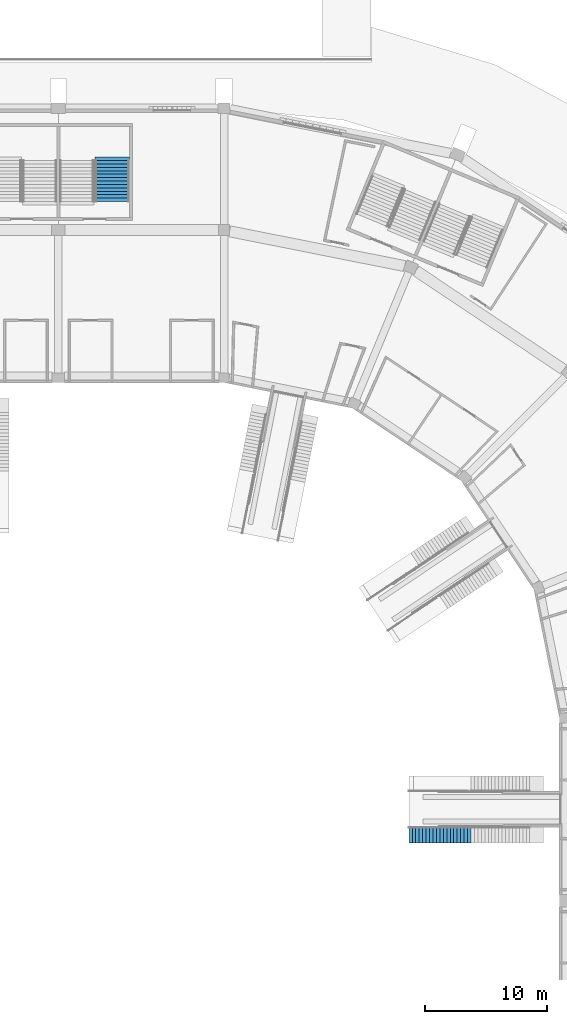
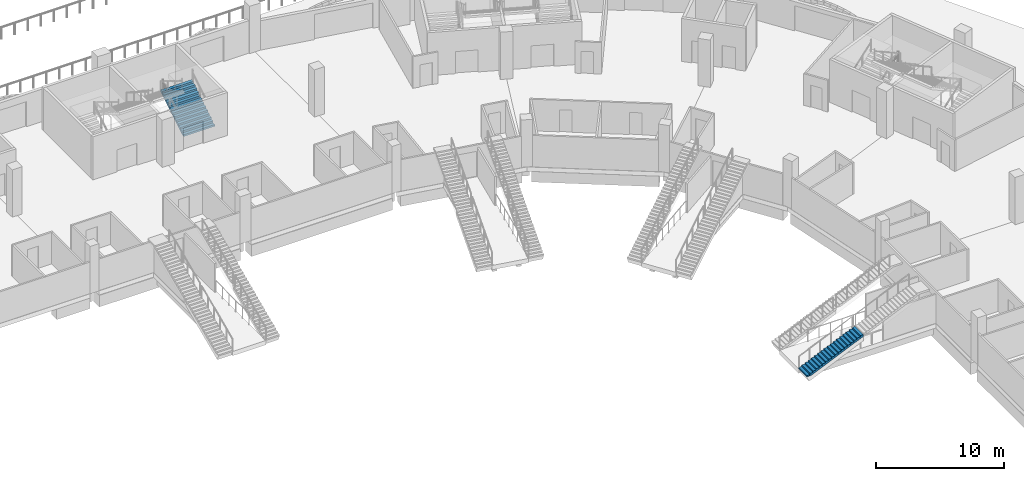
# One storey, part 139 of 175: 2 stair flights, 2 elements without a shape of their own.
"""IFC4 building model written with IfcOpenShell, lengths in metres."""

from ifc_helpers import new_model, si_unit, direction, frame, origin, place, context, subcontext, project, spatial, faceted_brep, material, type_object, element, aggregate, save


model = new_model("IFC4")

# Units and contexts
model_context = context("Model", 3, precision=1e-05, world=origin(), true_north=direction((0.0, 1.0)))
body_context = subcontext(model_context, "Body", "Model", "MODEL_VIEW")
ifc_project = project(units=[si_unit("LENGTHUNIT", "METRE"), si_unit("AREAUNIT", "SQUARE_METRE"), si_unit("VOLUMEUNIT", "CUBIC_METRE"), si_unit("PLANEANGLEUNIT", "RADIAN"), si_unit("MASSUNIT", "GRAM", prefix="KILO")], contexts=[model_context])

# Site, building, storey
site_placement = place(None, origin())
site = spatial("IfcSite", under=ifc_project, at=site_placement, CompositionType="ELEMENT")
building_placement = place(site_placement, origin())
building = spatial("IfcBuilding", under=site, at=building_placement, Name="Ogive Plaza Stadium", CompositionType="ELEMENT")
storey_placement = place(building_placement, origin())
storey = spatial("IfcBuildingStorey", under=building, at=storey_placement, Name="L00", CompositionType="ELEMENT", Elevation=0.0)

# Stair, stair flight
ifc_material_1 = material(Name="Concrete C40/50", Category="concrete")
stair_type_1 = type_object("IfcStairType", Name="Aisle stair", PredefinedType="STRAIGHT_RUN_STAIR", material=ifc_material_1)
stair_1_placement = place(storey_placement, origin())
stair_1 = element("IfcStair", 1, at=stair_1_placement, inside=storey, type_object=stair_type_1, Name="Aisle stair SA01L", PredefinedType="STRAIGHT_RUN_STAIR")
ifc_material_2 = material(Name="Concrete C40/50", Category="concrete")
stair_flight_type_1 = type_object("IfcStairFlightType", Name="Aisle stair flight", PredefinedType="STRAIGHT", material=ifc_material_2)
stair_flight_1_placement = place(storey_placement, frame((49.14990234375, 42.89990234375, 0.0), z_axis=(0.0, 0.0, 1.0), x_axis=(1.0, 0.0, 0.0)))
stair_flight_1 = element("IfcStairFlight", 2, at=stair_flight_1_placement, type_object=stair_flight_type_1, Name="SA01L flight 1", NumberOfRisers=18, NumberOfTreads=17, PredefinedType="STRAIGHT", RiserHeight=0.125, TreadLength=0.283333333, context=body_context, shape_type="Brep", body=[
    faceted_brep([(0.371337890625, -0.64990234375, 0.0), (5.10009765625, -0.64990234375, 2.086181640625), (5.10009765625, -0.64990234375, 2.25), (4.816650390625, -0.64990234375, 2.25), (4.816650390625, -0.64990234375, 2.125), (4.533447265625, -0.64990234375, 2.125), (4.533447265625, -0.64990234375, 2.0), (4.25, -0.64990234375, 2.0), (4.25, -0.64990234375, 1.875), (3.966552734375, -0.64990234375, 1.875), (3.966552734375, -0.64990234375, 1.75), (3.683349609375, -0.64990234375, 1.75), (3.683349609375, -0.64990234375, 1.625), (3.39990234375, -0.64990234375, 1.625), (3.39990234375, -0.64990234375, 1.5), (3.11669921875, -0.64990234375, 1.5), (3.11669921875, -0.64990234375, 1.375), (2.833251953125, -0.64990234375, 1.375), (2.833251953125, -0.64990234375, 1.25), (2.550048828125, -0.64990234375, 1.25), (2.550048828125, -0.64990234375, 1.125), (2.2666015625, -0.64990234375, 1.125), (2.2666015625, -0.64990234375, 1.0), (1.9833984375, -0.64990234375, 1.0), (1.9833984375, -0.64990234375, 0.875), (1.699951171875, -0.64990234375, 0.875), (1.699951171875, -0.64990234375, 0.75), (1.416748046875, -0.64990234375, 0.75), (1.416748046875, -0.64990234375, 0.625), (1.13330078125, -0.64990234375, 0.625), (1.13330078125, -0.64990234375, 0.5), (0.85009765625, -0.64990234375, 0.5), (0.85009765625, -0.64990234375, 0.375), (0.566650390625, -0.64990234375, 0.375), (0.566650390625, -0.64990234375, 0.25), (0.283447265625, -0.64990234375, 0.25), (0.283447265625, -0.64990234375, 0.125), (0.0, -0.64990234375, 0.125), (0.0, -0.64990234375, 0.0), (0.0, 0.64990234375, 0.0), (0.0, 0.64990234375, 0.125), (0.283447265625, 0.64990234375, 0.125), (0.283447265625, 0.64990234375, 0.25), (0.566650390625, 0.64990234375, 0.25), (0.566650390625, 0.64990234375, 0.375), (0.85009765625, 0.64990234375, 0.375), (0.85009765625, 0.64990234375, 0.5), (1.13330078125, 0.64990234375, 0.5), (1.13330078125, 0.64990234375, 0.625), (1.416748046875, 0.64990234375, 0.625), (1.416748046875, 0.64990234375, 0.75), (1.699951171875, 0.64990234375, 0.75), (1.699951171875, 0.64990234375, 0.875), (1.9833984375, 0.64990234375, 0.875), (1.9833984375, 0.64990234375, 1.0), (2.2666015625, 0.64990234375, 1.0), (2.2666015625, 0.64990234375, 1.125), (2.550048828125, 0.64990234375, 1.125), (2.550048828125, 0.64990234375, 1.25), (2.833251953125, 0.64990234375, 1.25), (2.833251953125, 0.64990234375, 1.375), (3.11669921875, 0.64990234375, 1.375), (3.11669921875, 0.64990234375, 1.5), (3.39990234375, 0.64990234375, 1.5), (3.39990234375, 0.64990234375, 1.625), (3.683349609375, 0.64990234375, 1.625), (3.683349609375, 0.64990234375, 1.75), (3.966552734375, 0.64990234375, 1.75), (3.966552734375, 0.64990234375, 1.875), (4.25, 0.64990234375, 1.875), (4.25, 0.64990234375, 2.0), (4.533447265625, 0.64990234375, 2.0), (4.533447265625, 0.64990234375, 2.125), (4.816650390625, 0.64990234375, 2.125), (4.816650390625, 0.64990234375, 2.25), (5.10009765625, 0.64990234375, 2.25), (5.10009765625, 0.64990234375, 2.086181640625), (0.371337890625, 0.64990234375, 0.0), (0.371337890625, -0.324951171875, 0.0), (5.10009765625, -0.324951171875, 2.086181640625), (0.371337890625, 0.0, 0.0), (5.10009765625, 0.0, 2.086181640625), (0.371337890625, 0.324951171875, 0.0), (5.10009765625, 0.324951171875, 2.086181640625), (5.10009765625, -0.324951171875, 2.25), (5.10009765625, 0.0, 2.25), (5.10009765625, 0.324951171875, 2.25), (4.816650390625, -0.324951171875, 2.25), (4.816650390625, 0.0, 2.25), (4.816650390625, 0.324951171875, 2.25), (4.816650390625, -0.324951171875, 2.125), (4.816650390625, 0.0, 2.125), (4.816650390625, 0.324951171875, 2.125), (4.533447265625, -0.324951171875, 2.125), (4.533447265625, 0.0, 2.125), (4.533447265625, 0.324951171875, 2.125), (4.533447265625, -0.324951171875, 2.0), (4.533447265625, 0.0, 2.0), (4.533447265625, 0.324951171875, 2.0), (4.25, -0.324951171875, 2.0), (4.25, 0.0, 2.0), (4.25, 0.324951171875, 2.0), (4.25, -0.324951171875, 1.875), (4.25, 0.0, 1.875), (4.25, 0.324951171875, 1.875), (3.966552734375, -0.324951171875, 1.875), (3.966552734375, 0.0, 1.875), (3.966552734375, 0.324951171875, 1.875), (3.966552734375, -0.324951171875, 1.75), (3.966552734375, 0.0, 1.75), (3.966552734375, 0.324951171875, 1.75), (3.683349609375, -0.324951171875, 1.75), (3.683349609375, 0.0, 1.75), (3.683349609375, 0.324951171875, 1.75), (3.683349609375, -0.324951171875, 1.625), (3.683349609375, 0.0, 1.625), (3.683349609375, 0.324951171875, 1.625), (3.39990234375, -0.324951171875, 1.625), (3.39990234375, 0.0, 1.625), (3.39990234375, 0.324951171875, 1.625), (3.39990234375, -0.324951171875, 1.5), (3.39990234375, 0.0, 1.5), (3.39990234375, 0.324951171875, 1.5), (3.11669921875, -0.324951171875, 1.5), (3.11669921875, 0.0, 1.5), (3.11669921875, 0.324951171875, 1.5), (3.11669921875, -0.324951171875, 1.375), (3.11669921875, 0.0, 1.375), (3.11669921875, 0.324951171875, 1.375), (2.833251953125, -0.324951171875, 1.375), (2.833251953125, 0.0, 1.375), (2.833251953125, 0.324951171875, 1.375), (2.833251953125, -0.324951171875, 1.25), (2.833251953125, 0.0, 1.25), (2.833251953125, 0.324951171875, 1.25), (2.550048828125, -0.324951171875, 1.25), (2.550048828125, 0.0, 1.25), (2.550048828125, 0.324951171875, 1.25), (2.550048828125, -0.324951171875, 1.125), (2.550048828125, 0.0, 1.125), (2.550048828125, 0.324951171875, 1.125), (2.2666015625, -0.324951171875, 1.125), (2.2666015625, 0.0, 1.125), (2.2666015625, 0.324951171875, 1.125), (2.2666015625, -0.324951171875, 1.0), (2.2666015625, 0.0, 1.0), (2.2666015625, 0.324951171875, 1.0), (1.9833984375, -0.324951171875, 1.0), (1.9833984375, 0.0, 1.0), (1.9833984375, 0.324951171875, 1.0), (1.9833984375, -0.324951171875, 0.875), (1.9833984375, 0.0, 0.875), (1.9833984375, 0.324951171875, 0.875), (1.699951171875, -0.324951171875, 0.875), (1.699951171875, 0.0, 0.875), (1.699951171875, 0.324951171875, 0.875), (1.699951171875, -0.324951171875, 0.75), (1.699951171875, 0.0, 0.75), (1.699951171875, 0.324951171875, 0.75), (1.416748046875, -0.324951171875, 0.75), (1.416748046875, 0.0, 0.75), (1.416748046875, 0.324951171875, 0.75), (1.416748046875, -0.324951171875, 0.625), (1.416748046875, 0.0, 0.625), (1.416748046875, 0.324951171875, 0.625), (1.13330078125, -0.324951171875, 0.625), (1.13330078125, 0.0, 0.625), (1.13330078125, 0.324951171875, 0.625), (1.13330078125, -0.324951171875, 0.5), (1.13330078125, 0.0, 0.5), (1.13330078125, 0.324951171875, 0.5), (0.85009765625, -0.324951171875, 0.5), (0.85009765625, 0.0, 0.5), (0.85009765625, 0.324951171875, 0.5), (0.85009765625, -0.324951171875, 0.375), (0.85009765625, 0.0, 0.375), (0.85009765625, 0.324951171875, 0.375), (0.566650390625, -0.324951171875, 0.375), (0.566650390625, 0.0, 0.375), (0.566650390625, 0.324951171875, 0.375), (0.566650390625, -0.324951171875, 0.25), (0.566650390625, 0.0, 0.25), (0.566650390625, 0.324951171875, 0.25), (0.283447265625, -0.324951171875, 0.25), (0.283447265625, 0.0, 0.25), (0.283447265625, 0.324951171875, 0.25), (0.283447265625, -0.324951171875, 0.125), (0.283447265625, 0.0, 0.125), (0.283447265625, 0.324951171875, 0.125), (0.0, -0.324951171875, 0.125), (0.0, 0.0, 0.125), (0.0, 0.324951171875, 0.125), (0.0, -0.324951171875, 0.0), (0.0, 0.0, 0.0), (0.0, 0.324951171875, 0.0)], [[[0, 1, 2, 3, 4, 5, 6, 7, 8, 9, 10, 11, 12, 13, 14, 15, 16, 17, 18, 19, 20, 21, 22, 23, 24, 25, 26, 27, 28, 29, 30, 31, 32, 33, 34, 35, 36, 37, 38]], [[39, 40, 41, 42, 43, 44, 45, 46, 47, 48, 49, 50, 51, 52, 53, 54, 55, 56, 57, 58, 59, 60, 61, 62, 63, 64, 65, 66, 67, 68, 69, 70, 71, 72, 73, 74, 75, 76, 77]], [[0, 78, 79, 1]], [[78, 80, 81, 79]], [[80, 82, 83, 81]], [[82, 77, 76, 83]], [[1, 79, 84, 2]], [[79, 81, 85, 84]], [[81, 83, 86, 85]], [[83, 76, 75, 86]], [[2, 84, 87, 3]], [[84, 85, 88, 87]], [[85, 86, 89, 88]], [[86, 75, 74, 89]], [[3, 87, 90, 4]], [[87, 88, 91, 90]], [[88, 89, 92, 91]], [[89, 74, 73, 92]], [[4, 90, 93, 5]], [[90, 91, 94, 93]], [[91, 92, 95, 94]], [[92, 73, 72, 95]], [[5, 93, 96, 6]], [[93, 94, 97, 96]], [[94, 95, 98, 97]], [[95, 72, 71, 98]], [[6, 96, 99, 7]], [[96, 97, 100, 99]], [[97, 98, 101, 100]], [[98, 71, 70, 101]], [[7, 99, 102, 8]], [[99, 100, 103, 102]], [[100, 101, 104, 103]], [[101, 70, 69, 104]], [[8, 102, 105, 9]], [[102, 103, 106, 105]], [[103, 104, 107, 106]], [[104, 69, 68, 107]], [[9, 105, 108, 10]], [[105, 106, 109, 108]], [[106, 107, 110, 109]], [[107, 68, 67, 110]], [[10, 108, 111, 11]], [[108, 109, 112, 111]], [[109, 110, 113, 112]], [[110, 67, 66, 113]], [[11, 111, 114, 12]], [[111, 112, 115, 114]], [[112, 113, 116, 115]], [[113, 66, 65, 116]], [[12, 114, 117, 13]], [[114, 115, 118, 117]], [[115, 116, 119, 118]], [[116, 65, 64, 119]], [[13, 117, 120, 14]], [[117, 118, 121, 120]], [[118, 119, 122, 121]], [[119, 64, 63, 122]], [[14, 120, 123, 15]], [[120, 121, 124, 123]], [[121, 122, 125, 124]], [[122, 63, 62, 125]], [[15, 123, 126, 16]], [[123, 124, 127, 126]], [[124, 125, 128, 127]], [[125, 62, 61, 128]], [[16, 126, 129, 17]], [[126, 127, 130, 129]], [[127, 128, 131, 130]], [[128, 61, 60, 131]], [[17, 129, 132, 18]], [[129, 130, 133, 132]], [[130, 131, 134, 133]], [[131, 60, 59, 134]], [[18, 132, 135, 19]], [[132, 133, 136, 135]], [[133, 134, 137, 136]], [[134, 59, 58, 137]], [[19, 135, 138, 20]], [[135, 136, 139, 138]], [[136, 137, 140, 139]], [[137, 58, 57, 140]], [[20, 138, 141, 21]], [[138, 139, 142, 141]], [[139, 140, 143, 142]], [[140, 57, 56, 143]], [[21, 141, 144, 22]], [[141, 142, 145, 144]], [[142, 143, 146, 145]], [[143, 56, 55, 146]], [[22, 144, 147, 23]], [[144, 145, 148, 147]], [[145, 146, 149, 148]], [[146, 55, 54, 149]], [[23, 147, 150, 24]], [[147, 148, 151, 150]], [[148, 149, 152, 151]], [[149, 54, 53, 152]], [[24, 150, 153, 25]], [[150, 151, 154, 153]], [[151, 152, 155, 154]], [[152, 53, 52, 155]], [[25, 153, 156, 26]], [[153, 154, 157, 156]], [[154, 155, 158, 157]], [[155, 52, 51, 158]], [[26, 156, 159, 27]], [[156, 157, 160, 159]], [[157, 158, 161, 160]], [[158, 51, 50, 161]], [[27, 159, 162, 28]], [[159, 160, 163, 162]], [[160, 161, 164, 163]], [[161, 50, 49, 164]], [[28, 162, 165, 29]], [[162, 163, 166, 165]], [[163, 164, 167, 166]], [[164, 49, 48, 167]], [[29, 165, 168, 30]], [[165, 166, 169, 168]], [[166, 167, 170, 169]], [[167, 48, 47, 170]], [[30, 168, 171, 31]], [[168, 169, 172, 171]], [[169, 170, 173, 172]], [[170, 47, 46, 173]], [[31, 171, 174, 32]], [[171, 172, 175, 174]], [[172, 173, 176, 175]], [[173, 46, 45, 176]], [[32, 174, 177, 33]], [[174, 175, 178, 177]], [[175, 176, 179, 178]], [[176, 45, 44, 179]], [[33, 177, 180, 34]], [[177, 178, 181, 180]], [[178, 179, 182, 181]], [[179, 44, 43, 182]], [[34, 180, 183, 35]], [[180, 181, 184, 183]], [[181, 182, 185, 184]], [[182, 43, 42, 185]], [[35, 183, 186, 36]], [[183, 184, 187, 186]], [[184, 185, 188, 187]], [[185, 42, 41, 188]], [[36, 186, 189, 37]], [[186, 187, 190, 189]], [[187, 188, 191, 190]], [[188, 41, 40, 191]], [[37, 189, 192, 38]], [[189, 190, 193, 192]], [[190, 191, 194, 193]], [[191, 40, 39, 194]], [[38, 192, 78, 0]], [[192, 193, 80, 78]], [[193, 194, 82, 80]], [[194, 39, 77, 82]]]),
])
aggregate(stair_1, [stair_flight_1])

ifc_material_3 = material(Name="Concrete C40/50", Category="concrete")
stair_type_2 = type_object("IfcStairType", Name="Exit stair", PredefinedType="STRAIGHT_RUN_STAIR", material=ifc_material_3)
stair_2_placement = place(storey_placement, origin())
stair_2 = element("IfcStair", 3, at=stair_2_placement, inside=storey, type_object=stair_type_2, Name="Exit stair ST36A L00 to L01", PredefinedType="STRAIGHT_RUN_STAIR")
ifc_material_4 = material(Name="Concrete C40/50", Category="concrete")
stair_flight_type_2 = type_object("IfcStairFlightType", Name="Exit stair flight", PredefinedType="STRAIGHT", material=ifc_material_4)
stair_flight_2_placement = place(storey_placement, frame((24.824951171875, 94.85009765625, 0.0), z_axis=(0.0, 0.0, 1.0), x_axis=(0.0, 1.0, 0.0)))
stair_flight_2 = element("IfcStairFlight", 4, at=stair_flight_2_placement, type_object=stair_flight_type_2, Name="ST36A flight 1", NumberOfRisers=13, NumberOfTreads=12, PredefinedType="STRAIGHT", RiserHeight=0.173076923, TreadLength=0.28, context=body_context, shape_type="Brep", body=[
    faceted_brep([(0.28515625, -1.39990234375, 0.0), (3.639892578125, -1.39990234375, 2.07373046875), (3.639892578125, -1.39990234375, 2.25), (3.360107421875, -1.39990234375, 2.25), (3.360107421875, -1.39990234375, 2.076904296875), (3.080078125, -1.39990234375, 2.076904296875), (3.080078125, -1.39990234375, 1.90380859375), (2.800048828125, -1.39990234375, 1.90380859375), (2.800048828125, -1.39990234375, 1.730712890625), (2.52001953125, -1.39990234375, 1.730712890625), (2.52001953125, -1.39990234375, 1.5576171875), (2.239990234375, -1.39990234375, 1.5576171875), (2.239990234375, -1.39990234375, 1.384521484375), (1.9599609375, -1.39990234375, 1.384521484375), (1.9599609375, -1.39990234375, 1.21142578125), (1.679931640625, -1.39990234375, 1.21142578125), (1.679931640625, -1.39990234375, 1.03857421875), (1.39990234375, -1.39990234375, 1.03857421875), (1.39990234375, -1.39990234375, 0.865478515625), (1.1201171875, -1.39990234375, 0.865478515625), (1.1201171875, -1.39990234375, 0.6923828125), (0.840087890625, -1.39990234375, 0.6923828125), (0.840087890625, -1.39990234375, 0.519287109375), (0.56005859375, -1.39990234375, 0.519287109375), (0.56005859375, -1.39990234375, 0.34619140625), (0.280029296875, -1.39990234375, 0.34619140625), (0.280029296875, -1.39990234375, 0.173095703125), (0.0, -1.39990234375, 0.173095703125), (0.0, -1.39990234375, 0.0), (0.0, 1.39990234375, 0.0), (0.0, 1.39990234375, 0.173095703125), (0.280029296875, 1.39990234375, 0.173095703125), (0.280029296875, 1.39990234375, 0.34619140625), (0.56005859375, 1.39990234375, 0.34619140625), (0.56005859375, 1.39990234375, 0.519287109375), (0.840087890625, 1.39990234375, 0.519287109375), (0.840087890625, 1.39990234375, 0.6923828125), (1.1201171875, 1.39990234375, 0.6923828125), (1.1201171875, 1.39990234375, 0.865478515625), (1.39990234375, 1.39990234375, 0.865478515625), (1.39990234375, 1.39990234375, 1.03857421875), (1.679931640625, 1.39990234375, 1.03857421875), (1.679931640625, 1.39990234375, 1.21142578125), (1.9599609375, 1.39990234375, 1.21142578125), (1.9599609375, 1.39990234375, 1.384521484375), (2.239990234375, 1.39990234375, 1.384521484375), (2.239990234375, 1.39990234375, 1.5576171875), (2.52001953125, 1.39990234375, 1.5576171875), (2.52001953125, 1.39990234375, 1.730712890625), (2.800048828125, 1.39990234375, 1.730712890625), (2.800048828125, 1.39990234375, 1.90380859375), (3.080078125, 1.39990234375, 1.90380859375), (3.080078125, 1.39990234375, 2.076904296875), (3.360107421875, 1.39990234375, 2.076904296875), (3.360107421875, 1.39990234375, 2.25), (3.639892578125, 1.39990234375, 2.25), (3.639892578125, 1.39990234375, 2.07373046875), (0.28515625, 1.39990234375, 0.0), (0.28515625, -1.0888671875, 0.0), (3.639892578125, -1.0888671875, 2.07373046875), (0.28515625, -0.77783203125, 0.0), (3.639892578125, -0.77783203125, 2.07373046875), (0.28515625, -0.466796875, 0.0), (3.639892578125, -0.466796875, 2.07373046875), (0.28515625, -0.155517578125, 0.0), (3.639892578125, -0.155517578125, 2.07373046875), (0.28515625, 0.155517578125, 0.0), (3.639892578125, 0.155517578125, 2.07373046875), (0.28515625, 0.466796875, 0.0), (3.639892578125, 0.466796875, 2.07373046875), (0.28515625, 0.77783203125, 0.0), (3.639892578125, 0.77783203125, 2.07373046875), (0.28515625, 1.0888671875, 0.0), (3.639892578125, 1.0888671875, 2.07373046875), (3.639892578125, -1.0888671875, 2.25), (3.639892578125, -0.77783203125, 2.25), (3.639892578125, -0.466796875, 2.25), (3.639892578125, -0.155517578125, 2.25), (3.639892578125, 0.155517578125, 2.25), (3.639892578125, 0.466796875, 2.25), (3.639892578125, 0.77783203125, 2.25), (3.639892578125, 1.0888671875, 2.25), (3.360107421875, -1.0888671875, 2.25), (3.360107421875, -0.77783203125, 2.25), (3.360107421875, -0.466796875, 2.25), (3.360107421875, -0.155517578125, 2.25), (3.360107421875, 0.155517578125, 2.25), (3.360107421875, 0.466796875, 2.25), (3.360107421875, 0.77783203125, 2.25), (3.360107421875, 1.0888671875, 2.25), (3.360107421875, -1.0888671875, 2.076904296875), (3.360107421875, -0.77783203125, 2.076904296875), (3.360107421875, -0.466796875, 2.076904296875), (3.360107421875, -0.155517578125, 2.076904296875), (3.360107421875, 0.155517578125, 2.076904296875), (3.360107421875, 0.466796875, 2.076904296875), (3.360107421875, 0.77783203125, 2.076904296875), (3.360107421875, 1.0888671875, 2.076904296875), (3.080078125, -1.0888671875, 2.076904296875), (3.080078125, -0.77783203125, 2.076904296875), (3.080078125, -0.466796875, 2.076904296875), (3.080078125, -0.155517578125, 2.076904296875), (3.080078125, 0.155517578125, 2.076904296875), (3.080078125, 0.466796875, 2.076904296875), (3.080078125, 0.77783203125, 2.076904296875), (3.080078125, 1.0888671875, 2.076904296875), (3.080078125, -1.0888671875, 1.90380859375), (3.080078125, -0.77783203125, 1.90380859375), (3.080078125, -0.466796875, 1.90380859375), (3.080078125, -0.155517578125, 1.90380859375), (3.080078125, 0.155517578125, 1.90380859375), (3.080078125, 0.466796875, 1.90380859375), (3.080078125, 0.77783203125, 1.90380859375), (3.080078125, 1.0888671875, 1.90380859375), (2.800048828125, -1.0888671875, 1.90380859375), (2.800048828125, -0.77783203125, 1.90380859375), (2.800048828125, -0.466796875, 1.90380859375), (2.800048828125, -0.155517578125, 1.90380859375), (2.800048828125, 0.155517578125, 1.90380859375), (2.800048828125, 0.466796875, 1.90380859375), (2.800048828125, 0.77783203125, 1.90380859375), (2.800048828125, 1.0888671875, 1.90380859375), (2.800048828125, -1.0888671875, 1.730712890625), (2.800048828125, -0.77783203125, 1.730712890625), (2.800048828125, -0.466796875, 1.730712890625), (2.800048828125, -0.155517578125, 1.730712890625), (2.800048828125, 0.155517578125, 1.730712890625), (2.800048828125, 0.466796875, 1.730712890625), (2.800048828125, 0.77783203125, 1.730712890625), (2.800048828125, 1.0888671875, 1.730712890625), (2.52001953125, -1.0888671875, 1.730712890625), (2.52001953125, -0.77783203125, 1.730712890625), (2.52001953125, -0.466796875, 1.730712890625), (2.52001953125, -0.155517578125, 1.730712890625), (2.52001953125, 0.155517578125, 1.730712890625), (2.52001953125, 0.466796875, 1.730712890625), (2.52001953125, 0.77783203125, 1.730712890625), (2.52001953125, 1.0888671875, 1.730712890625), (2.52001953125, -1.0888671875, 1.5576171875), (2.52001953125, -0.77783203125, 1.5576171875), (2.52001953125, -0.466796875, 1.5576171875), (2.52001953125, -0.155517578125, 1.5576171875), (2.52001953125, 0.155517578125, 1.5576171875), (2.52001953125, 0.466796875, 1.5576171875), (2.52001953125, 0.77783203125, 1.5576171875), (2.52001953125, 1.0888671875, 1.5576171875), (2.239990234375, -1.0888671875, 1.5576171875), (2.239990234375, -0.77783203125, 1.5576171875), (2.239990234375, -0.466796875, 1.5576171875), (2.239990234375, -0.155517578125, 1.5576171875), (2.239990234375, 0.155517578125, 1.5576171875), (2.239990234375, 0.466796875, 1.5576171875), (2.239990234375, 0.77783203125, 1.5576171875), (2.239990234375, 1.0888671875, 1.5576171875), (2.239990234375, -1.0888671875, 1.384521484375), (2.239990234375, -0.77783203125, 1.384521484375), (2.239990234375, -0.466796875, 1.384521484375), (2.239990234375, -0.155517578125, 1.384521484375), (2.239990234375, 0.155517578125, 1.384521484375), (2.239990234375, 0.466796875, 1.384521484375), (2.239990234375, 0.77783203125, 1.384521484375), (2.239990234375, 1.0888671875, 1.384521484375), (1.9599609375, -1.0888671875, 1.384521484375), (1.9599609375, -0.77783203125, 1.384521484375), (1.9599609375, -0.466796875, 1.384521484375), (1.9599609375, -0.155517578125, 1.384521484375), (1.9599609375, 0.155517578125, 1.384521484375), (1.9599609375, 0.466796875, 1.384521484375), (1.9599609375, 0.77783203125, 1.384521484375), (1.9599609375, 1.0888671875, 1.384521484375), (1.9599609375, -1.0888671875, 1.21142578125), (1.9599609375, -0.77783203125, 1.21142578125), (1.9599609375, -0.466796875, 1.21142578125), (1.9599609375, -0.155517578125, 1.21142578125), (1.9599609375, 0.155517578125, 1.21142578125), (1.9599609375, 0.466796875, 1.21142578125), (1.9599609375, 0.77783203125, 1.21142578125), (1.9599609375, 1.0888671875, 1.21142578125), (1.679931640625, -1.0888671875, 1.21142578125), (1.679931640625, -0.77783203125, 1.21142578125), (1.679931640625, -0.466796875, 1.21142578125), (1.679931640625, -0.155517578125, 1.21142578125), (1.679931640625, 0.155517578125, 1.21142578125), (1.679931640625, 0.466796875, 1.21142578125), (1.679931640625, 0.77783203125, 1.21142578125), (1.679931640625, 1.0888671875, 1.21142578125), (1.679931640625, -1.0888671875, 1.03857421875), (1.679931640625, -0.77783203125, 1.03857421875), (1.679931640625, -0.466796875, 1.03857421875), (1.679931640625, -0.155517578125, 1.03857421875), (1.679931640625, 0.155517578125, 1.03857421875), (1.679931640625, 0.466796875, 1.03857421875), (1.679931640625, 0.77783203125, 1.03857421875), (1.679931640625, 1.0888671875, 1.03857421875), (1.39990234375, -1.0888671875, 1.03857421875), (1.39990234375, -0.77783203125, 1.03857421875), (1.39990234375, -0.466796875, 1.03857421875), (1.39990234375, -0.155517578125, 1.03857421875), (1.39990234375, 0.155517578125, 1.03857421875), (1.39990234375, 0.466796875, 1.03857421875), (1.39990234375, 0.77783203125, 1.03857421875), (1.39990234375, 1.0888671875, 1.03857421875), (1.39990234375, -1.0888671875, 0.865478515625), (1.39990234375, -0.77783203125, 0.865478515625), (1.39990234375, -0.466796875, 0.865478515625), (1.39990234375, -0.155517578125, 0.865478515625), (1.39990234375, 0.155517578125, 0.865478515625), (1.39990234375, 0.466796875, 0.865478515625), (1.39990234375, 0.77783203125, 0.865478515625), (1.39990234375, 1.0888671875, 0.865478515625), (1.1201171875, -1.0888671875, 0.865478515625), (1.1201171875, -0.77783203125, 0.865478515625), (1.1201171875, -0.466796875, 0.865478515625), (1.1201171875, -0.155517578125, 0.865478515625), (1.1201171875, 0.155517578125, 0.865478515625), (1.1201171875, 0.466796875, 0.865478515625), (1.1201171875, 0.77783203125, 0.865478515625), (1.1201171875, 1.0888671875, 0.865478515625), (1.1201171875, -1.0888671875, 0.6923828125), (1.1201171875, -0.77783203125, 0.6923828125), (1.1201171875, -0.466796875, 0.6923828125), (1.1201171875, -0.155517578125, 0.6923828125), (1.1201171875, 0.155517578125, 0.6923828125), (1.1201171875, 0.466796875, 0.6923828125), (1.1201171875, 0.77783203125, 0.6923828125), (1.1201171875, 1.0888671875, 0.6923828125), (0.840087890625, -1.0888671875, 0.6923828125), (0.840087890625, -0.77783203125, 0.6923828125), (0.840087890625, -0.466796875, 0.6923828125), (0.840087890625, -0.155517578125, 0.6923828125), (0.840087890625, 0.155517578125, 0.6923828125), (0.840087890625, 0.466796875, 0.6923828125), (0.840087890625, 0.77783203125, 0.6923828125), (0.840087890625, 1.0888671875, 0.6923828125), (0.840087890625, -1.0888671875, 0.519287109375), (0.840087890625, -0.77783203125, 0.519287109375), (0.840087890625, -0.466796875, 0.519287109375), (0.840087890625, -0.155517578125, 0.519287109375), (0.840087890625, 0.155517578125, 0.519287109375), (0.840087890625, 0.466796875, 0.519287109375), (0.840087890625, 0.77783203125, 0.519287109375), (0.840087890625, 1.0888671875, 0.519287109375), (0.56005859375, -1.0888671875, 0.519287109375), (0.56005859375, -0.77783203125, 0.519287109375), (0.56005859375, -0.466796875, 0.519287109375), (0.56005859375, -0.155517578125, 0.519287109375), (0.56005859375, 0.155517578125, 0.519287109375), (0.56005859375, 0.466796875, 0.519287109375), (0.56005859375, 0.77783203125, 0.519287109375), (0.56005859375, 1.0888671875, 0.519287109375), (0.56005859375, -1.0888671875, 0.34619140625), (0.56005859375, -0.77783203125, 0.34619140625), (0.56005859375, -0.466796875, 0.34619140625), (0.56005859375, -0.155517578125, 0.34619140625), (0.56005859375, 0.155517578125, 0.34619140625), (0.56005859375, 0.466796875, 0.34619140625), (0.56005859375, 0.77783203125, 0.34619140625), (0.56005859375, 1.0888671875, 0.34619140625), (0.280029296875, -1.0888671875, 0.34619140625), (0.280029296875, -0.77783203125, 0.34619140625), (0.280029296875, -0.466796875, 0.34619140625), (0.280029296875, -0.155517578125, 0.34619140625), (0.280029296875, 0.155517578125, 0.34619140625), (0.280029296875, 0.466796875, 0.34619140625), (0.280029296875, 0.77783203125, 0.34619140625), (0.280029296875, 1.0888671875, 0.34619140625), (0.280029296875, -1.0888671875, 0.173095703125), (0.280029296875, -0.77783203125, 0.173095703125), (0.280029296875, -0.466796875, 0.173095703125), (0.280029296875, -0.155517578125, 0.173095703125), (0.280029296875, 0.155517578125, 0.173095703125), (0.280029296875, 0.466796875, 0.173095703125), (0.280029296875, 0.77783203125, 0.173095703125), (0.280029296875, 1.0888671875, 0.173095703125), (0.0, -1.0888671875, 0.173095703125), (0.0, -0.77783203125, 0.173095703125), (0.0, -0.466796875, 0.173095703125), (0.0, -0.155517578125, 0.173095703125), (0.0, 0.155517578125, 0.173095703125), (0.0, 0.466796875, 0.173095703125), (0.0, 0.77783203125, 0.173095703125), (0.0, 1.0888671875, 0.173095703125), (0.0, -1.0888671875, 0.0), (0.0, -0.77783203125, 0.0), (0.0, -0.466796875, 0.0), (0.0, -0.155517578125, 0.0), (0.0, 0.155517578125, 0.0), (0.0, 0.466796875, 0.0), (0.0, 0.77783203125, 0.0), (0.0, 1.0888671875, 0.0)], [[[0, 1, 2, 3, 4, 5, 6, 7, 8, 9, 10, 11, 12, 13, 14, 15, 16, 17, 18, 19, 20, 21, 22, 23, 24, 25, 26, 27, 28]], [[29, 30, 31, 32, 33, 34, 35, 36, 37, 38, 39, 40, 41, 42, 43, 44, 45, 46, 47, 48, 49, 50, 51, 52, 53, 54, 55, 56, 57]], [[0, 58, 59, 1]], [[58, 60, 61, 59]], [[60, 62, 63, 61]], [[62, 64, 65, 63]], [[64, 66, 67, 65]], [[66, 68, 69, 67]], [[68, 70, 71, 69]], [[70, 72, 73, 71]], [[72, 57, 56, 73]], [[1, 59, 74, 2]], [[59, 61, 75, 74]], [[61, 63, 76, 75]], [[63, 65, 77, 76]], [[65, 67, 78, 77]], [[67, 69, 79, 78]], [[69, 71, 80, 79]], [[71, 73, 81, 80]], [[73, 56, 55, 81]], [[2, 74, 82, 3]], [[74, 75, 83, 82]], [[75, 76, 84, 83]], [[76, 77, 85, 84]], [[77, 78, 86, 85]], [[78, 79, 87, 86]], [[79, 80, 88, 87]], [[80, 81, 89, 88]], [[81, 55, 54, 89]], [[3, 82, 90, 4]], [[82, 83, 91, 90]], [[83, 84, 92, 91]], [[84, 85, 93, 92]], [[85, 86, 94, 93]], [[86, 87, 95, 94]], [[87, 88, 96, 95]], [[88, 89, 97, 96]], [[89, 54, 53, 97]], [[4, 90, 98, 5]], [[90, 91, 99, 98]], [[91, 92, 100, 99]], [[92, 93, 101, 100]], [[93, 94, 102, 101]], [[94, 95, 103, 102]], [[95, 96, 104, 103]], [[96, 97, 105, 104]], [[97, 53, 52, 105]], [[5, 98, 106, 6]], [[98, 99, 107, 106]], [[99, 100, 108, 107]], [[100, 101, 109, 108]], [[101, 102, 110, 109]], [[102, 103, 111, 110]], [[103, 104, 112, 111]], [[104, 105, 113, 112]], [[105, 52, 51, 113]], [[6, 106, 114, 7]], [[106, 107, 115, 114]], [[107, 108, 116, 115]], [[108, 109, 117, 116]], [[109, 110, 118, 117]], [[110, 111, 119, 118]], [[111, 112, 120, 119]], [[112, 113, 121, 120]], [[113, 51, 50, 121]], [[7, 114, 122, 8]], [[114, 115, 123, 122]], [[115, 116, 124, 123]], [[116, 117, 125, 124]], [[117, 118, 126, 125]], [[118, 119, 127, 126]], [[119, 120, 128, 127]], [[120, 121, 129, 128]], [[121, 50, 49, 129]], [[8, 122, 130, 9]], [[122, 123, 131, 130]], [[123, 124, 132, 131]], [[124, 125, 133, 132]], [[125, 126, 134, 133]], [[126, 127, 135, 134]], [[127, 128, 136, 135]], [[128, 129, 137, 136]], [[129, 49, 48, 137]], [[9, 130, 138, 10]], [[130, 131, 139, 138]], [[131, 132, 140, 139]], [[132, 133, 141, 140]], [[133, 134, 142, 141]], [[134, 135, 143, 142]], [[135, 136, 144, 143]], [[136, 137, 145, 144]], [[137, 48, 47, 145]], [[10, 138, 146, 11]], [[138, 139, 147, 146]], [[139, 140, 148, 147]], [[140, 141, 149, 148]], [[141, 142, 150, 149]], [[142, 143, 151, 150]], [[143, 144, 152, 151]], [[144, 145, 153, 152]], [[145, 47, 46, 153]], [[11, 146, 154, 12]], [[146, 147, 155, 154]], [[147, 148, 156, 155]], [[148, 149, 157, 156]], [[149, 150, 158, 157]], [[150, 151, 159, 158]], [[151, 152, 160, 159]], [[152, 153, 161, 160]], [[153, 46, 45, 161]], [[12, 154, 162, 13]], [[154, 155, 163, 162]], [[155, 156, 164, 163]], [[156, 157, 165, 164]], [[157, 158, 166, 165]], [[158, 159, 167, 166]], [[159, 160, 168, 167]], [[160, 161, 169, 168]], [[161, 45, 44, 169]], [[13, 162, 170, 14]], [[162, 163, 171, 170]], [[163, 164, 172, 171]], [[164, 165, 173, 172]], [[165, 166, 174, 173]], [[166, 167, 175, 174]], [[167, 168, 176, 175]], [[168, 169, 177, 176]], [[169, 44, 43, 177]], [[14, 170, 178, 15]], [[170, 171, 179, 178]], [[171, 172, 180, 179]], [[172, 173, 181, 180]], [[173, 174, 182, 181]], [[174, 175, 183, 182]], [[175, 176, 184, 183]], [[176, 177, 185, 184]], [[177, 43, 42, 185]], [[15, 178, 186, 16]], [[178, 179, 187, 186]], [[179, 180, 188, 187]], [[180, 181, 189, 188]], [[181, 182, 190, 189]], [[182, 183, 191, 190]], [[183, 184, 192, 191]], [[184, 185, 193, 192]], [[185, 42, 41, 193]], [[16, 186, 194, 17]], [[186, 187, 195, 194]], [[187, 188, 196, 195]], [[188, 189, 197, 196]], [[189, 190, 198, 197]], [[190, 191, 199, 198]], [[191, 192, 200, 199]], [[192, 193, 201, 200]], [[193, 41, 40, 201]], [[17, 194, 202, 18]], [[194, 195, 203, 202]], [[195, 196, 204, 203]], [[196, 197, 205, 204]], [[197, 198, 206, 205]], [[198, 199, 207, 206]], [[199, 200, 208, 207]], [[200, 201, 209, 208]], [[201, 40, 39, 209]], [[18, 202, 210, 19]], [[202, 203, 211, 210]], [[203, 204, 212, 211]], [[204, 205, 213, 212]], [[205, 206, 214, 213]], [[206, 207, 215, 214]], [[207, 208, 216, 215]], [[208, 209, 217, 216]], [[209, 39, 38, 217]], [[19, 210, 218, 20]], [[210, 211, 219, 218]], [[211, 212, 220, 219]], [[212, 213, 221, 220]], [[213, 214, 222, 221]], [[214, 215, 223, 222]], [[215, 216, 224, 223]], [[216, 217, 225, 224]], [[217, 38, 37, 225]], [[20, 218, 226, 21]], [[218, 219, 227, 226]], [[219, 220, 228, 227]], [[220, 221, 229, 228]], [[221, 222, 230, 229]], [[222, 223, 231, 230]], [[223, 224, 232, 231]], [[224, 225, 233, 232]], [[225, 37, 36, 233]], [[21, 226, 234, 22]], [[226, 227, 235, 234]], [[227, 228, 236, 235]], [[228, 229, 237, 236]], [[229, 230, 238, 237]], [[230, 231, 239, 238]], [[231, 232, 240, 239]], [[232, 233, 241, 240]], [[233, 36, 35, 241]], [[22, 234, 242, 23]], [[234, 235, 243, 242]], [[235, 236, 244, 243]], [[236, 237, 245, 244]], [[237, 238, 246, 245]], [[238, 239, 247, 246]], [[239, 240, 248, 247]], [[240, 241, 249, 248]], [[241, 35, 34, 249]], [[23, 242, 250, 24]], [[242, 243, 251, 250]], [[243, 244, 252, 251]], [[244, 245, 253, 252]], [[245, 246, 254, 253]], [[246, 247, 255, 254]], [[247, 248, 256, 255]], [[248, 249, 257, 256]], [[249, 34, 33, 257]], [[24, 250, 258, 25]], [[250, 251, 259, 258]], [[251, 252, 260, 259]], [[252, 253, 261, 260]], [[253, 254, 262, 261]], [[254, 255, 263, 262]], [[255, 256, 264, 263]], [[256, 257, 265, 264]], [[257, 33, 32, 265]], [[25, 258, 266, 26]], [[258, 259, 267, 266]], [[259, 260, 268, 267]], [[260, 261, 269, 268]], [[261, 262, 270, 269]], [[262, 263, 271, 270]], [[263, 264, 272, 271]], [[264, 265, 273, 272]], [[265, 32, 31, 273]], [[26, 266, 274, 27]], [[266, 267, 275, 274]], [[267, 268, 276, 275]], [[268, 269, 277, 276]], [[269, 270, 278, 277]], [[270, 271, 279, 278]], [[271, 272, 280, 279]], [[272, 273, 281, 280]], [[273, 31, 30, 281]], [[27, 274, 282, 28]], [[274, 275, 283, 282]], [[275, 276, 284, 283]], [[276, 277, 285, 284]], [[277, 278, 286, 285]], [[278, 279, 287, 286]], [[279, 280, 288, 287]], [[280, 281, 289, 288]], [[281, 30, 29, 289]], [[28, 282, 58, 0]], [[282, 283, 60, 58]], [[283, 284, 62, 60]], [[284, 285, 64, 62]], [[285, 286, 66, 64]], [[286, 287, 68, 66]], [[287, 288, 70, 68]], [[288, 289, 72, 70]], [[289, 29, 57, 72]]]),
])
aggregate(stair_2, [stair_flight_2])

save(model, "model.ifc")
